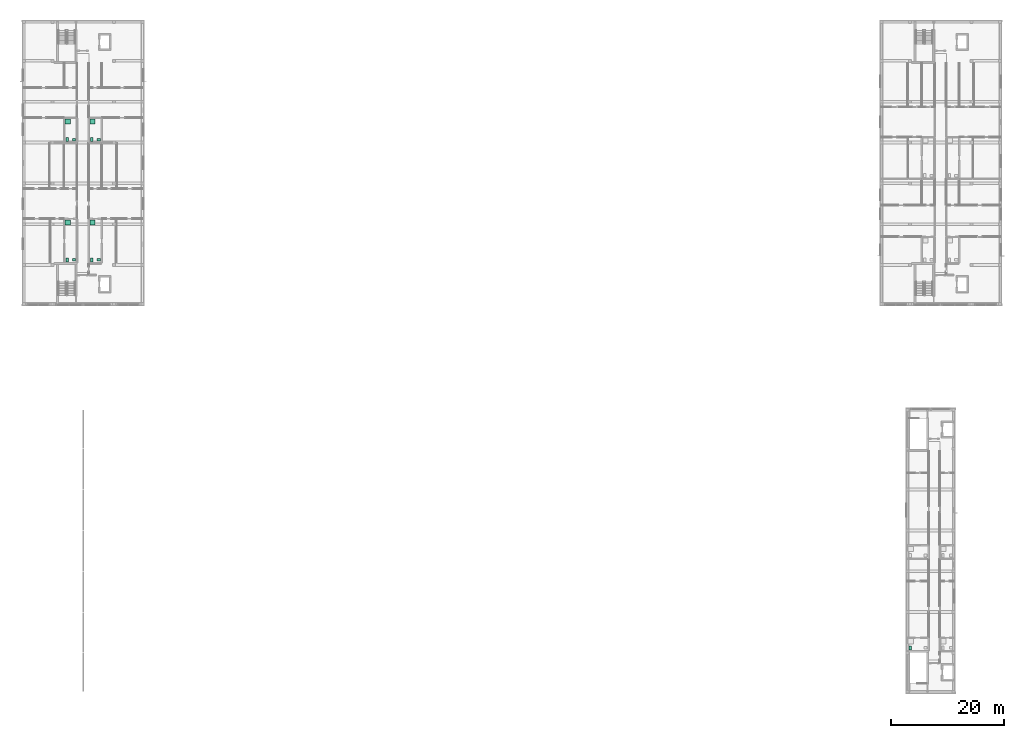
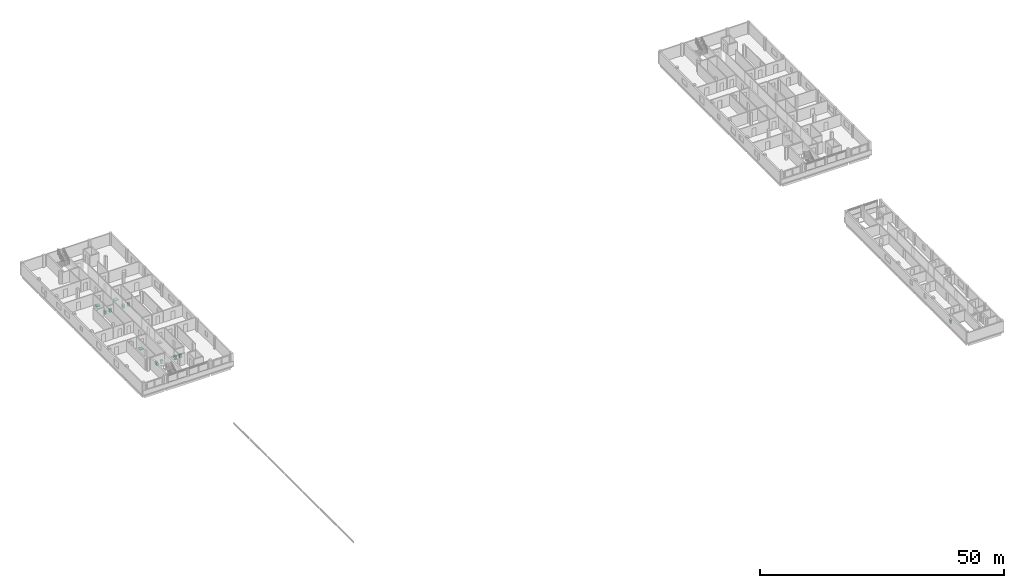
# One storey, part 27 of 28: 13 sanitary terminals.
"""IFC4 building model written with IfcOpenShell, lengths in metres."""

from ifc_helpers import new_model, si_unit, derived_unit, direction, frame, origin, origin_2d, place, context, subcontext, project, spatial, rectangle, extrude, material, type_object, element, save


model = new_model("IFC4")

# Units and contexts
model_context = context("Model", 3, precision=1e-05, world=origin(), true_north=direction((0.0, 1.0)))
body_context = subcontext(model_context, "Body", "Model", "MODEL_VIEW")
ifc_project = project(units=[si_unit("LENGTHUNIT", "METRE"), si_unit("AREAUNIT", "SQUARE_METRE"), si_unit("VOLUMEUNIT", "CUBIC_METRE"), si_unit("PLANEANGLEUNIT", "RADIAN"), si_unit("MASSUNIT", "GRAM", prefix="KILO"), derived_unit("THERMALTRANSMITTANCEUNIT", [(si_unit("MASSUNIT", "GRAM", prefix="KILO"), 1), (si_unit("TIMEUNIT", "SECOND"), -3), (si_unit("THERMODYNAMICTEMPERATUREUNIT", "KELVIN"), -1)])], contexts=[model_context])

# Site, building, storey
site_placement = place(None, origin())
site = spatial("IfcSite", under=ifc_project, at=site_placement, CompositionType="ELEMENT")
building_placement = place(site_placement, origin())
building = spatial("IfcBuilding", under=site, at=building_placement, Name="Ochrekiln Boulevard Commons", CompositionType="ELEMENT")
storey_placement = place(building_placement, frame((0.0, 0.0, 34.125)))
storey = spatial("IfcBuildingStorey", under=building, at=storey_placement, Name="L10", CompositionType="ELEMENT", Elevation=34.125)

# Sanitary terminals
ifc_material = material(Name="Vitreous china sanitaryware")
sanitary_terminal_type_1 = type_object("IfcSanitaryTerminalType", Name="SAN-BAS", PredefinedType="WASHHANDBASIN", material=ifc_material)
for number, where, z_axis, x_axis, name in (
    (1, (9.169921875, 76.5, 0.0), (0.0, 0.0, 1.0), (1.0, 0.0, 0.0), "L10 Washhand Basin Fixture"),
    (2, (9.169921875, 97.7099609375, 0.0), (0.0, 0.0, 1.0), (1.0, 0.0, 0.0), "L10 Washhand Basin Fixture"),
    (3, (13.530029296875, 76.5, 0.0), (0.0, 0.0, 1.0), (1.0, 0.0, 0.0), "L10 Washhand Basin Fixture"),
    (4, (13.530029296875, 97.7099609375, 0.0), (0.0, 0.0, 1.0), (1.0, 0.0, 0.0), "L10 Washhand Basin Fixture"),
):
    element("IfcSanitaryTerminal", number, at=place(storey_placement, frame(where, z_axis=z_axis, x_axis=x_axis)), inside=storey, type_object=sanitary_terminal_type_1, Name=name, PredefinedType="WASHHANDBASIN", context=body_context, shape_type="SweptSolid", body=[
        extrude(rectangle(XDim=0.550048828125, YDim=0.4599609375, at=origin_2d()), origin(), (0.0, 0.0, 1.0), 0.840087890625),
    ])
sanitary_terminal_type_2 = type_object("IfcSanitaryTerminalType", Name="SAN-SHW", PredefinedType="SHOWER", material=ifc_material)
for number, where, z_axis, x_axis, name in (
    (5, (8.070068359375, 83.1201171875, 0.0), (0.0, 0.0, 1.0), (1.0, 0.0, 0.0), "L10 Shower Receptor"),
    (6, (8.070068359375, 100.9169921875, 0.0), (0.0, 0.0, 1.0), (1.0, 0.0, 0.0), "L10 Shower Receptor"),
    (7, (12.429931640625, 83.1201171875, 0.0), (0.0, 0.0, 1.0), (1.0, 0.0, 0.0), "L10 Shower Receptor"),
    (8, (12.429931640625, 100.9169921875, 0.0), (0.0, 0.0, 1.0), (1.0, 0.0, 0.0), "L10 Shower Receptor"),
):
    element("IfcSanitaryTerminal", number, at=place(storey_placement, frame(where, z_axis=z_axis, x_axis=x_axis)), inside=storey, type_object=sanitary_terminal_type_2, Name=name, PredefinedType="SHOWER", context=body_context, shape_type="SweptSolid", body=[
        extrude(rectangle(XDim=0.89990234375, YDim=0.89990234375, at=origin_2d()), origin(), (0.0, 0.0, 1.0), 0.1201171875),
    ])
sanitary_terminal_type_3 = type_object("IfcSanitaryTerminalType", Name="SAN-WC", PredefinedType="TOILETPAN", material=ifc_material)
for number, where, z_axis, x_axis, name in (
    (9, (7.969970703125, 76.5, 0.0), (0.0, 0.0, 1.0), (1.0, 0.0, 0.0), "L10 Water Closet Fixture"),
    (10, (7.969970703125, 97.7099609375, 0.0), (0.0, 0.0, 1.0), (1.0, 0.0, 0.0), "L10 Water Closet Fixture"),
    (11, (12.330078125, 76.5, 0.0), (0.0, 0.0, 1.0), (1.0, 0.0, 0.0), "L10 Water Closet Fixture"),
    (12, (12.330078125, 97.7099609375, 0.0), (0.0, 0.0, 1.0), (1.0, 0.0, 0.0), "L10 Water Closet Fixture"),
    (13, (156.60009765625, 8.10009765625, 0.0), (0.0, 0.0, 1.0), (1.0, 0.0, 0.0), "L10 Water Closet Fixture"),
):
    element("IfcSanitaryTerminal", number, at=place(storey_placement, frame(where, z_axis=z_axis, x_axis=x_axis)), inside=storey, type_object=sanitary_terminal_type_3, Name=name, PredefinedType="TOILETPAN", context=body_context, shape_type="SweptSolid", body=[
        extrude(rectangle(XDim=0.419921875, YDim=0.679931640625, at=origin_2d()), origin(), (0.0, 0.0, 1.0), 0.780029296875),
    ])

save(model, "model.ifc")
